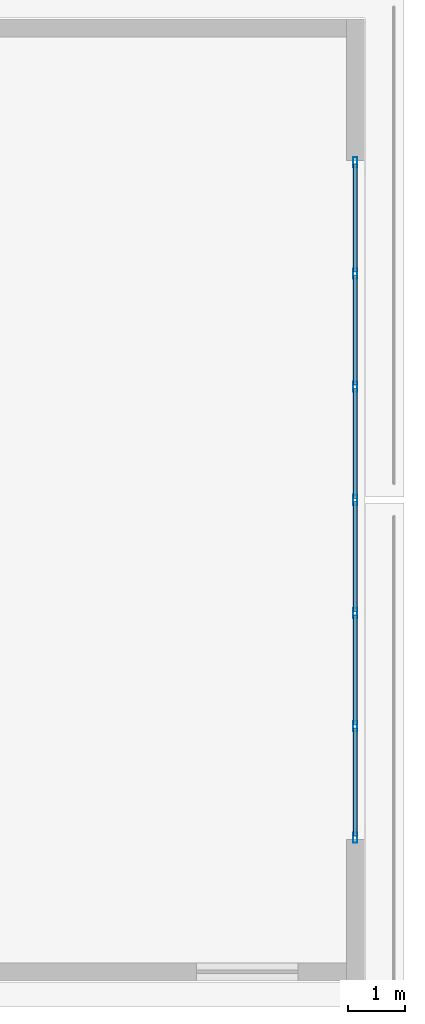
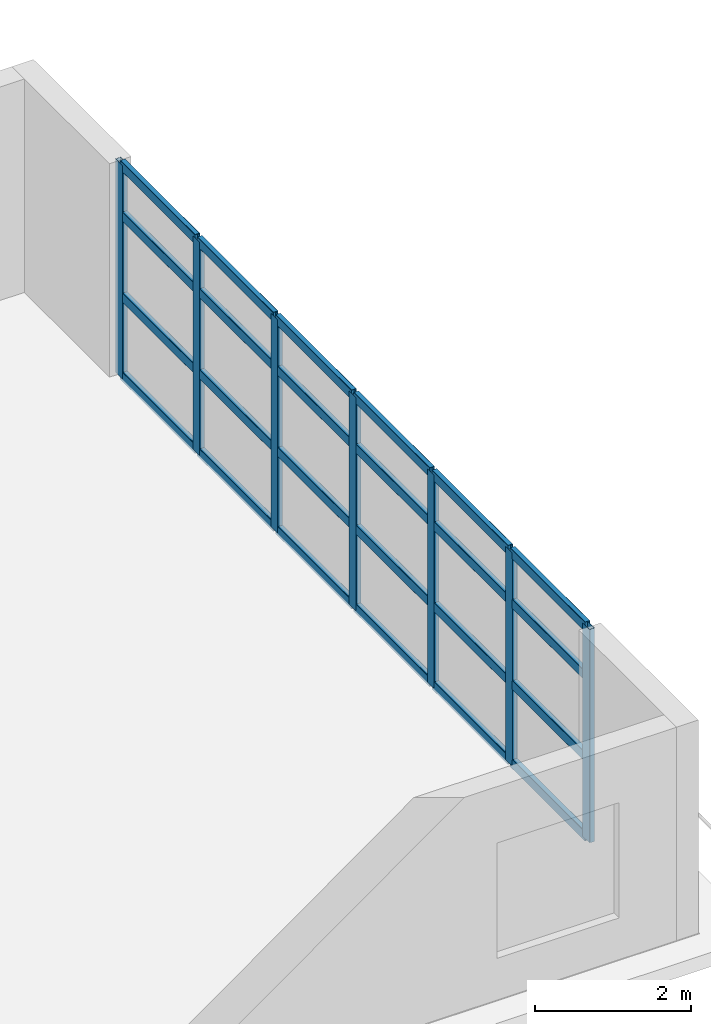
# One storey, part 8 of 23: 31 members, 1 element without a shape of its own.
"""IFC4 building model written with IfcOpenShell, lengths in metres."""

from ifc_helpers import new_model, si_unit, direction, frame, origin, origin_2d, place, context, subcontext, project, spatial, hollow_rectangle, extrude, material, layer, layer_set, material_profile, profile_set, type_object, element, aggregate, save


model = new_model("IFC4")

# Units and contexts
model_context = context("Model", 3, precision=1e-05, world=origin(), true_north=direction((0.0, 1.0)))
body_context = subcontext(model_context, "Body", "Model", "MODEL_VIEW")
ifc_project = project(units=[si_unit("LENGTHUNIT", "METRE"), si_unit("AREAUNIT", "SQUARE_METRE"), si_unit("VOLUMEUNIT", "CUBIC_METRE"), si_unit("PLANEANGLEUNIT", "RADIAN"), si_unit("MASSUNIT", "GRAM", prefix="KILO")], contexts=[model_context])

# Site, building, storey
site_placement = place(None, origin())
site = spatial("IfcSite", under=ifc_project, at=site_placement, CompositionType="ELEMENT")
building_placement = place(site_placement, origin())
building = spatial("IfcBuilding", under=site, at=building_placement, Name="Qingluan Cross Belvedere", CompositionType="ELEMENT")
storey_placement = place(building_placement, frame((0.0, 0.0, 10.199951171875)))
storey = spatial("IfcBuildingStorey", under=building, at=storey_placement, Name="L03", CompositionType="ELEMENT", Elevation=10.199951171875)

# Curtain wall, members
ifc_material_1 = material(Name="Thermally broken aluminium and Low-E glass", Category="aluminium")
ifc_layer = layer(ifc_material_1, 0.219970703125, Name="UnitisedCW_BallroomFoyer")
ifc_layer_set = layer_set([ifc_layer], Name="Thermally broken aluminium and Low-E glass")
curtain_wall_type = type_object("IfcCurtainWallType", Name="UnitisedCW_BallroomFoyer", PredefinedType="USERDEFINED", material=ifc_layer_set)
curtain_wall_placement = place(storey_placement, origin())
curtain_wall = element("IfcCurtainWall", 1, at=curtain_wall_placement, inside=storey, type_object=curtain_wall_type, Name="UnitisedCW_BallroomFoyer run env:cw:L03:E", ObjectType="UNITISED CURTAIN WALL", PredefinedType="USERDEFINED")
ifc_material_2 = material(Name="Aluminium alloy 6063-T6", Category="aluminium")
ifc_material_profile_1 = material_profile(ifc_material_2, hollow_rectangle(XDim=0.074951171875, YDim=0.179931640625, WallThickness=0.00390625, InnerFilletRadius=0.00390625, OuterFilletRadius=0.008056640625, at=origin_2d()), Name="CWM180x75x4")
ifc_profile_set_1 = profile_set([ifc_material_profile_1], Name="Aluminium alloy 6063-T6")
member_type_1 = type_object("IfcMemberType", Name="CWMullion_180", PredefinedType="MULLION", material=ifc_profile_set_1)
member_1_placement = place(storey_placement, frame((37.639892578125, 5.969970703125, 0.0), z_axis=(0.0, 0.0, 1.0), x_axis=(1.0, 0.0, 0.0)))
member_1 = element("IfcMember", 2, at=member_1_placement, type_object=member_type_1, Name="CW-P2 mullion 1", PredefinedType="MULLION", context=body_context, shape_type="SweptSolid", body=[
    extrude(hollow_rectangle(XDim=0.074951171875, YDim=0.179931640625, WallThickness=0.00390625, InnerFilletRadius=0.00390625, OuterFilletRadius=0.008056640625, at=origin_2d()), origin(), (0.0, 0.0, 1.0), 3.330078125),
])
member_2_placement = place(storey_placement, frame((37.639892578125, 4.0, 0.0), z_axis=(0.0, 0.0, 1.0), x_axis=(1.0, 0.0, 0.0)))
member_2 = element("IfcMember", 3, at=member_2_placement, type_object=member_type_1, Name="CW-P2 mullion 2", PredefinedType="MULLION", context=body_context, shape_type="SweptSolid", body=[
    extrude(hollow_rectangle(XDim=0.074951171875, YDim=0.179931640625, WallThickness=0.00390625, InnerFilletRadius=0.00390625, OuterFilletRadius=0.008056640625, at=origin_2d()), origin(), (0.0, 0.0, 1.0), 3.330078125),
])
member_3_placement = place(storey_placement, frame((37.639892578125, 2.0, 0.0), z_axis=(0.0, 0.0, 1.0), x_axis=(1.0, 0.0, 0.0)))
member_3 = element("IfcMember", 4, at=member_3_placement, type_object=member_type_1, Name="CW-P2 mullion 3", PredefinedType="MULLION", context=body_context, shape_type="SweptSolid", body=[
    extrude(hollow_rectangle(XDim=0.074951171875, YDim=0.179931640625, WallThickness=0.00390625, InnerFilletRadius=0.00390625, OuterFilletRadius=0.008056640625, at=origin_2d()), origin(), (0.0, 0.0, 1.0), 3.330078125),
])
member_4_placement = place(storey_placement, frame((37.639892578125, 0.0, 0.0), z_axis=(0.0, 0.0, 1.0), x_axis=(1.0, 0.0, 0.0)))
member_4 = element("IfcMember", 5, at=member_4_placement, type_object=member_type_1, Name="CW-P2 mullion 4", PredefinedType="MULLION", context=body_context, shape_type="SweptSolid", body=[
    extrude(hollow_rectangle(XDim=0.074951171875, YDim=0.179931640625, WallThickness=0.00390625, InnerFilletRadius=0.00390625, OuterFilletRadius=0.008056640625, at=origin_2d()), origin(), (0.0, 0.0, 1.0), 3.330078125),
])
member_5_placement = place(storey_placement, frame((37.639892578125, -2.0, 0.0), z_axis=(0.0, 0.0, 1.0), x_axis=(1.0, 0.0, 0.0)))
member_5 = element("IfcMember", 6, at=member_5_placement, type_object=member_type_1, Name="CW-P2 mullion 5", PredefinedType="MULLION", context=body_context, shape_type="SweptSolid", body=[
    extrude(hollow_rectangle(XDim=0.074951171875, YDim=0.179931640625, WallThickness=0.00390625, InnerFilletRadius=0.00390625, OuterFilletRadius=0.008056640625, at=origin_2d()), origin(), (0.0, 0.0, 1.0), 3.330078125),
])
member_6_placement = place(storey_placement, frame((37.639892578125, -4.0, 0.0), z_axis=(0.0, 0.0, 1.0), x_axis=(1.0, 0.0, 0.0)))
member_6 = element("IfcMember", 7, at=member_6_placement, type_object=member_type_1, Name="CW-P2 mullion 6", PredefinedType="MULLION", context=body_context, shape_type="SweptSolid", body=[
    extrude(hollow_rectangle(XDim=0.074951171875, YDim=0.179931640625, WallThickness=0.00390625, InnerFilletRadius=0.00390625, OuterFilletRadius=0.008056640625, at=origin_2d()), origin(), (0.0, 0.0, 1.0), 3.330078125),
])
member_7_placement = place(storey_placement, frame((37.639892578125, -5.969970703125, 0.0), z_axis=(0.0, 0.0, 1.0), x_axis=(1.0, 0.0, 0.0)))
member_7 = element("IfcMember", 8, at=member_7_placement, type_object=member_type_1, Name="CW-P2 mullion 7", PredefinedType="MULLION", context=body_context, shape_type="SweptSolid", body=[
    extrude(hollow_rectangle(XDim=0.074951171875, YDim=0.179931640625, WallThickness=0.00390625, InnerFilletRadius=0.00390625, OuterFilletRadius=0.008056640625, at=origin_2d()), origin(), (0.0, 0.0, 1.0), 3.330078125),
])
ifc_material_3 = material(Name="Aluminium alloy 6063-T6", Category="aluminium")
ifc_material_profile_2 = material_profile(ifc_material_3, hollow_rectangle(XDim=0.074951171875, YDim=0.14990234375, WallThickness=0.00390625, InnerFilletRadius=0.00390625, OuterFilletRadius=0.008056640625, at=origin_2d()), Name="CWT150x75x4")
ifc_profile_set_2 = profile_set([ifc_material_profile_2], Name="Aluminium alloy 6063-T6")
member_type_2 = type_object("IfcMemberType", Name="CWTransom_150", PredefinedType="USERDEFINED", material=ifc_profile_set_2)
member_8_placement = place(storey_placement, frame((37.639892578125, 5.93994140625, 0.030029296875), z_axis=(0.0, -1.0, 0.0), x_axis=(1.0, 0.0, 0.0)))
member_8 = element("IfcMember", 9, at=member_8_placement, type_object=member_type_2, Name="CW-P2 transom 1.1", ObjectType="TRANSOM", PredefinedType="USERDEFINED", context=body_context, shape_type="SweptSolid", body=[
    extrude(hollow_rectangle(XDim=0.074951171875, YDim=0.14990234375, WallThickness=0.00390625, InnerFilletRadius=0.00390625, OuterFilletRadius=0.008056640625, at=origin_2d()), origin(), (0.0, 0.0, 1.0), 1.909912109375),
])
member_9_placement = place(storey_placement, frame((37.639892578125, 5.93994140625, 1.26513671875), z_axis=(0.0, -1.0, 0.0), x_axis=(1.0, 0.0, 0.0)))
member_9 = element("IfcMember", 10, at=member_9_placement, type_object=member_type_2, Name="CW-P2 transom 1.2", ObjectType="TRANSOM", PredefinedType="USERDEFINED", context=body_context, shape_type="SweptSolid", body=[
    extrude(hollow_rectangle(XDim=0.074951171875, YDim=0.14990234375, WallThickness=0.00390625, InnerFilletRadius=0.00390625, OuterFilletRadius=0.008056640625, at=origin_2d()), origin(), (0.0, 0.0, 1.0), 1.909912109375),
])
member_10_placement = place(storey_placement, frame((37.639892578125, 5.93994140625, 2.531005859375), z_axis=(0.0, -1.0, 0.0), x_axis=(1.0, 0.0, 0.0)))
member_10 = element("IfcMember", 11, at=member_10_placement, type_object=member_type_2, Name="CW-P2 transom 1.3", ObjectType="TRANSOM", PredefinedType="USERDEFINED", context=body_context, shape_type="SweptSolid", body=[
    extrude(hollow_rectangle(XDim=0.074951171875, YDim=0.14990234375, WallThickness=0.00390625, InnerFilletRadius=0.00390625, OuterFilletRadius=0.008056640625, at=origin_2d()), origin(), (0.0, 0.0, 1.0), 1.909912109375),
])
member_11_placement = place(storey_placement, frame((37.639892578125, 5.93994140625, 3.300048828125), z_axis=(0.0, -1.0, 0.0), x_axis=(1.0, 0.0, 0.0)))
member_11 = element("IfcMember", 12, at=member_11_placement, type_object=member_type_2, Name="CW-P2 transom 1.4", ObjectType="TRANSOM", PredefinedType="USERDEFINED", context=body_context, shape_type="SweptSolid", body=[
    extrude(hollow_rectangle(XDim=0.074951171875, YDim=0.14990234375, WallThickness=0.00390625, InnerFilletRadius=0.00390625, OuterFilletRadius=0.008056640625, at=origin_2d()), origin(), (0.0, 0.0, 1.0), 1.909912109375),
])
member_12_placement = place(storey_placement, frame((37.639892578125, 3.969970703125, 0.030029296875), z_axis=(0.0, -1.0, 0.0), x_axis=(1.0, 0.0, 0.0)))
member_12 = element("IfcMember", 13, at=member_12_placement, type_object=member_type_2, Name="CW-P2 transom 2.1", ObjectType="TRANSOM", PredefinedType="USERDEFINED", context=body_context, shape_type="SweptSolid", body=[
    extrude(hollow_rectangle(XDim=0.074951171875, YDim=0.14990234375, WallThickness=0.00390625, InnerFilletRadius=0.00390625, OuterFilletRadius=0.008056640625, at=origin_2d()), origin(), (0.0, 0.0, 1.0), 1.93994140625),
])
member_13_placement = place(storey_placement, frame((37.639892578125, 3.969970703125, 1.26513671875), z_axis=(0.0, -1.0, 0.0), x_axis=(1.0, 0.0, 0.0)))
member_13 = element("IfcMember", 14, at=member_13_placement, type_object=member_type_2, Name="CW-P2 transom 2.2", ObjectType="TRANSOM", PredefinedType="USERDEFINED", context=body_context, shape_type="SweptSolid", body=[
    extrude(hollow_rectangle(XDim=0.074951171875, YDim=0.14990234375, WallThickness=0.00390625, InnerFilletRadius=0.00390625, OuterFilletRadius=0.008056640625, at=origin_2d()), origin(), (0.0, 0.0, 1.0), 1.93994140625),
])
member_14_placement = place(storey_placement, frame((37.639892578125, 3.969970703125, 2.531005859375), z_axis=(0.0, -1.0, 0.0), x_axis=(1.0, 0.0, 0.0)))
member_14 = element("IfcMember", 15, at=member_14_placement, type_object=member_type_2, Name="CW-P2 transom 2.3", ObjectType="TRANSOM", PredefinedType="USERDEFINED", context=body_context, shape_type="SweptSolid", body=[
    extrude(hollow_rectangle(XDim=0.074951171875, YDim=0.14990234375, WallThickness=0.00390625, InnerFilletRadius=0.00390625, OuterFilletRadius=0.008056640625, at=origin_2d()), origin(), (0.0, 0.0, 1.0), 1.93994140625),
])
member_15_placement = place(storey_placement, frame((37.639892578125, 3.969970703125, 3.300048828125), z_axis=(0.0, -1.0, 0.0), x_axis=(1.0, 0.0, 0.0)))
member_15 = element("IfcMember", 16, at=member_15_placement, type_object=member_type_2, Name="CW-P2 transom 2.4", ObjectType="TRANSOM", PredefinedType="USERDEFINED", context=body_context, shape_type="SweptSolid", body=[
    extrude(hollow_rectangle(XDim=0.074951171875, YDim=0.14990234375, WallThickness=0.00390625, InnerFilletRadius=0.00390625, OuterFilletRadius=0.008056640625, at=origin_2d()), origin(), (0.0, 0.0, 1.0), 1.93994140625),
])
member_16_placement = place(storey_placement, frame((37.639892578125, 1.969970703125, 0.030029296875), z_axis=(0.0, -1.0, 0.0), x_axis=(1.0, 0.0, 0.0)))
member_16 = element("IfcMember", 17, at=member_16_placement, type_object=member_type_2, Name="CW-P2 transom 3.1", ObjectType="TRANSOM", PredefinedType="USERDEFINED", context=body_context, shape_type="SweptSolid", body=[
    extrude(hollow_rectangle(XDim=0.074951171875, YDim=0.14990234375, WallThickness=0.00390625, InnerFilletRadius=0.00390625, OuterFilletRadius=0.008056640625, at=origin_2d()), origin(), (0.0, 0.0, 1.0), 1.93994140625),
])
member_17_placement = place(storey_placement, frame((37.639892578125, 1.969970703125, 1.26513671875), z_axis=(0.0, -1.0, 0.0), x_axis=(1.0, 0.0, 0.0)))
member_17 = element("IfcMember", 18, at=member_17_placement, type_object=member_type_2, Name="CW-P2 transom 3.2", ObjectType="TRANSOM", PredefinedType="USERDEFINED", context=body_context, shape_type="SweptSolid", body=[
    extrude(hollow_rectangle(XDim=0.074951171875, YDim=0.14990234375, WallThickness=0.00390625, InnerFilletRadius=0.00390625, OuterFilletRadius=0.008056640625, at=origin_2d()), origin(), (0.0, 0.0, 1.0), 1.93994140625),
])
member_18_placement = place(storey_placement, frame((37.639892578125, 1.969970703125, 2.531005859375), z_axis=(0.0, -1.0, 0.0), x_axis=(1.0, 0.0, 0.0)))
member_18 = element("IfcMember", 19, at=member_18_placement, type_object=member_type_2, Name="CW-P2 transom 3.3", ObjectType="TRANSOM", PredefinedType="USERDEFINED", context=body_context, shape_type="SweptSolid", body=[
    extrude(hollow_rectangle(XDim=0.074951171875, YDim=0.14990234375, WallThickness=0.00390625, InnerFilletRadius=0.00390625, OuterFilletRadius=0.008056640625, at=origin_2d()), origin(), (0.0, 0.0, 1.0), 1.93994140625),
])
member_19_placement = place(storey_placement, frame((37.639892578125, 1.969970703125, 3.300048828125), z_axis=(0.0, -1.0, 0.0), x_axis=(1.0, 0.0, 0.0)))
member_19 = element("IfcMember", 20, at=member_19_placement, type_object=member_type_2, Name="CW-P2 transom 3.4", ObjectType="TRANSOM", PredefinedType="USERDEFINED", context=body_context, shape_type="SweptSolid", body=[
    extrude(hollow_rectangle(XDim=0.074951171875, YDim=0.14990234375, WallThickness=0.00390625, InnerFilletRadius=0.00390625, OuterFilletRadius=0.008056640625, at=origin_2d()), origin(), (0.0, 0.0, 1.0), 1.93994140625),
])
member_20_placement = place(storey_placement, frame((37.639892578125, -0.030029296875, 0.030029296875), z_axis=(0.0, -1.0, 0.0), x_axis=(1.0, 0.0, 0.0)))
member_20 = element("IfcMember", 21, at=member_20_placement, type_object=member_type_2, Name="CW-P2 transom 4.1", ObjectType="TRANSOM", PredefinedType="USERDEFINED", context=body_context, shape_type="SweptSolid", body=[
    extrude(hollow_rectangle(XDim=0.074951171875, YDim=0.14990234375, WallThickness=0.00390625, InnerFilletRadius=0.00390625, OuterFilletRadius=0.008056640625, at=origin_2d()), origin(), (0.0, 0.0, 1.0), 1.93994140625),
])
member_21_placement = place(storey_placement, frame((37.639892578125, -0.030029296875, 1.26513671875), z_axis=(0.0, -1.0, 0.0), x_axis=(1.0, 0.0, 0.0)))
member_21 = element("IfcMember", 22, at=member_21_placement, type_object=member_type_2, Name="CW-P2 transom 4.2", ObjectType="TRANSOM", PredefinedType="USERDEFINED", context=body_context, shape_type="SweptSolid", body=[
    extrude(hollow_rectangle(XDim=0.074951171875, YDim=0.14990234375, WallThickness=0.00390625, InnerFilletRadius=0.00390625, OuterFilletRadius=0.008056640625, at=origin_2d()), origin(), (0.0, 0.0, 1.0), 1.93994140625),
])
member_22_placement = place(storey_placement, frame((37.639892578125, -0.030029296875, 2.531005859375), z_axis=(0.0, -1.0, 0.0), x_axis=(1.0, 0.0, 0.0)))
member_22 = element("IfcMember", 23, at=member_22_placement, type_object=member_type_2, Name="CW-P2 transom 4.3", ObjectType="TRANSOM", PredefinedType="USERDEFINED", context=body_context, shape_type="SweptSolid", body=[
    extrude(hollow_rectangle(XDim=0.074951171875, YDim=0.14990234375, WallThickness=0.00390625, InnerFilletRadius=0.00390625, OuterFilletRadius=0.008056640625, at=origin_2d()), origin(), (0.0, 0.0, 1.0), 1.93994140625),
])
member_23_placement = place(storey_placement, frame((37.639892578125, -0.030029296875, 3.300048828125), z_axis=(0.0, -1.0, 0.0), x_axis=(1.0, 0.0, 0.0)))
member_23 = element("IfcMember", 24, at=member_23_placement, type_object=member_type_2, Name="CW-P2 transom 4.4", ObjectType="TRANSOM", PredefinedType="USERDEFINED", context=body_context, shape_type="SweptSolid", body=[
    extrude(hollow_rectangle(XDim=0.074951171875, YDim=0.14990234375, WallThickness=0.00390625, InnerFilletRadius=0.00390625, OuterFilletRadius=0.008056640625, at=origin_2d()), origin(), (0.0, 0.0, 1.0), 1.93994140625),
])
member_24_placement = place(storey_placement, frame((37.639892578125, -2.030029296875, 0.030029296875), z_axis=(0.0, -1.0, 0.0), x_axis=(1.0, 0.0, 0.0)))
member_24 = element("IfcMember", 25, at=member_24_placement, type_object=member_type_2, Name="CW-P2 transom 5.1", ObjectType="TRANSOM", PredefinedType="USERDEFINED", context=body_context, shape_type="SweptSolid", body=[
    extrude(hollow_rectangle(XDim=0.074951171875, YDim=0.14990234375, WallThickness=0.00390625, InnerFilletRadius=0.00390625, OuterFilletRadius=0.008056640625, at=origin_2d()), origin(), (0.0, 0.0, 1.0), 1.93994140625),
])
member_25_placement = place(storey_placement, frame((37.639892578125, -2.030029296875, 1.26513671875), z_axis=(0.0, -1.0, 0.0), x_axis=(1.0, 0.0, 0.0)))
member_25 = element("IfcMember", 26, at=member_25_placement, type_object=member_type_2, Name="CW-P2 transom 5.2", ObjectType="TRANSOM", PredefinedType="USERDEFINED", context=body_context, shape_type="SweptSolid", body=[
    extrude(hollow_rectangle(XDim=0.074951171875, YDim=0.14990234375, WallThickness=0.00390625, InnerFilletRadius=0.00390625, OuterFilletRadius=0.008056640625, at=origin_2d()), origin(), (0.0, 0.0, 1.0), 1.93994140625),
])
member_26_placement = place(storey_placement, frame((37.639892578125, -2.030029296875, 2.531005859375), z_axis=(0.0, -1.0, 0.0), x_axis=(1.0, 0.0, 0.0)))
member_26 = element("IfcMember", 27, at=member_26_placement, type_object=member_type_2, Name="CW-P2 transom 5.3", ObjectType="TRANSOM", PredefinedType="USERDEFINED", context=body_context, shape_type="SweptSolid", body=[
    extrude(hollow_rectangle(XDim=0.074951171875, YDim=0.14990234375, WallThickness=0.00390625, InnerFilletRadius=0.00390625, OuterFilletRadius=0.008056640625, at=origin_2d()), origin(), (0.0, 0.0, 1.0), 1.93994140625),
])
member_27_placement = place(storey_placement, frame((37.639892578125, -2.030029296875, 3.300048828125), z_axis=(0.0, -1.0, 0.0), x_axis=(1.0, 0.0, 0.0)))
member_27 = element("IfcMember", 28, at=member_27_placement, type_object=member_type_2, Name="CW-P2 transom 5.4", ObjectType="TRANSOM", PredefinedType="USERDEFINED", context=body_context, shape_type="SweptSolid", body=[
    extrude(hollow_rectangle(XDim=0.074951171875, YDim=0.14990234375, WallThickness=0.00390625, InnerFilletRadius=0.00390625, OuterFilletRadius=0.008056640625, at=origin_2d()), origin(), (0.0, 0.0, 1.0), 1.93994140625),
])
member_28_placement = place(storey_placement, frame((37.639892578125, -4.030029296875, 0.030029296875), z_axis=(0.0, -1.0, 0.0), x_axis=(1.0, 0.0, 0.0)))
member_28 = element("IfcMember", 29, at=member_28_placement, type_object=member_type_2, Name="CW-P2 transom 6.1", ObjectType="TRANSOM", PredefinedType="USERDEFINED", context=body_context, shape_type="SweptSolid", body=[
    extrude(hollow_rectangle(XDim=0.074951171875, YDim=0.14990234375, WallThickness=0.00390625, InnerFilletRadius=0.00390625, OuterFilletRadius=0.008056640625, at=origin_2d()), origin(), (0.0, 0.0, 1.0), 1.909912109375),
])
member_29_placement = place(storey_placement, frame((37.639892578125, -4.030029296875, 1.26513671875), z_axis=(0.0, -1.0, 0.0), x_axis=(1.0, 0.0, 0.0)))
member_29 = element("IfcMember", 30, at=member_29_placement, type_object=member_type_2, Name="CW-P2 transom 6.2", ObjectType="TRANSOM", PredefinedType="USERDEFINED", context=body_context, shape_type="SweptSolid", body=[
    extrude(hollow_rectangle(XDim=0.074951171875, YDim=0.14990234375, WallThickness=0.00390625, InnerFilletRadius=0.00390625, OuterFilletRadius=0.008056640625, at=origin_2d()), origin(), (0.0, 0.0, 1.0), 1.909912109375),
])
member_30_placement = place(storey_placement, frame((37.639892578125, -4.030029296875, 2.531005859375), z_axis=(0.0, -1.0, 0.0), x_axis=(1.0, 0.0, 0.0)))
member_30 = element("IfcMember", 31, at=member_30_placement, type_object=member_type_2, Name="CW-P2 transom 6.3", ObjectType="TRANSOM", PredefinedType="USERDEFINED", context=body_context, shape_type="SweptSolid", body=[
    extrude(hollow_rectangle(XDim=0.074951171875, YDim=0.14990234375, WallThickness=0.00390625, InnerFilletRadius=0.00390625, OuterFilletRadius=0.008056640625, at=origin_2d()), origin(), (0.0, 0.0, 1.0), 1.909912109375),
])
member_31_placement = place(storey_placement, frame((37.639892578125, -4.030029296875, 3.300048828125), z_axis=(0.0, -1.0, 0.0), x_axis=(1.0, 0.0, 0.0)))
member_31 = element("IfcMember", 32, at=member_31_placement, type_object=member_type_2, Name="CW-P2 transom 6.4", ObjectType="TRANSOM", PredefinedType="USERDEFINED", context=body_context, shape_type="SweptSolid", body=[
    extrude(hollow_rectangle(XDim=0.074951171875, YDim=0.14990234375, WallThickness=0.00390625, InnerFilletRadius=0.00390625, OuterFilletRadius=0.008056640625, at=origin_2d()), origin(), (0.0, 0.0, 1.0), 1.909912109375),
])
aggregate(curtain_wall, [member_1, member_2, member_3, member_4, member_5, member_6, member_7, member_8, member_9, member_10, member_11, member_12, member_13, member_14, member_15, member_16, member_17, member_18, member_19, member_20, member_21, member_22, member_23, member_24, member_25, member_26, member_27, member_28, member_29, member_30, member_31])

save(model, "model.ifc")
